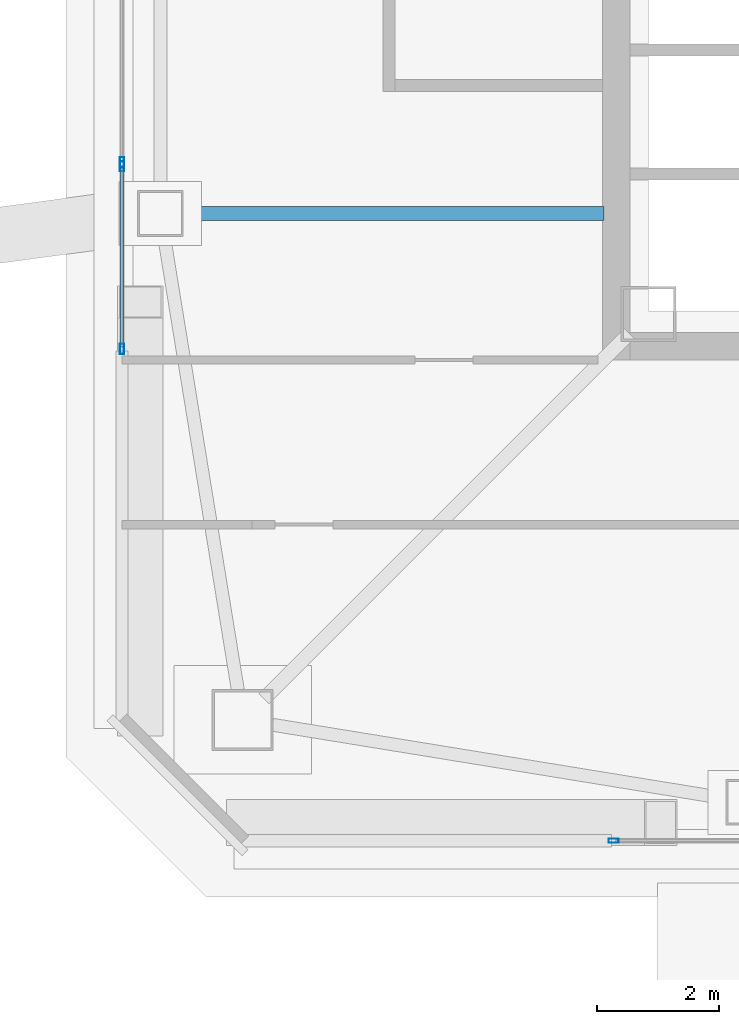
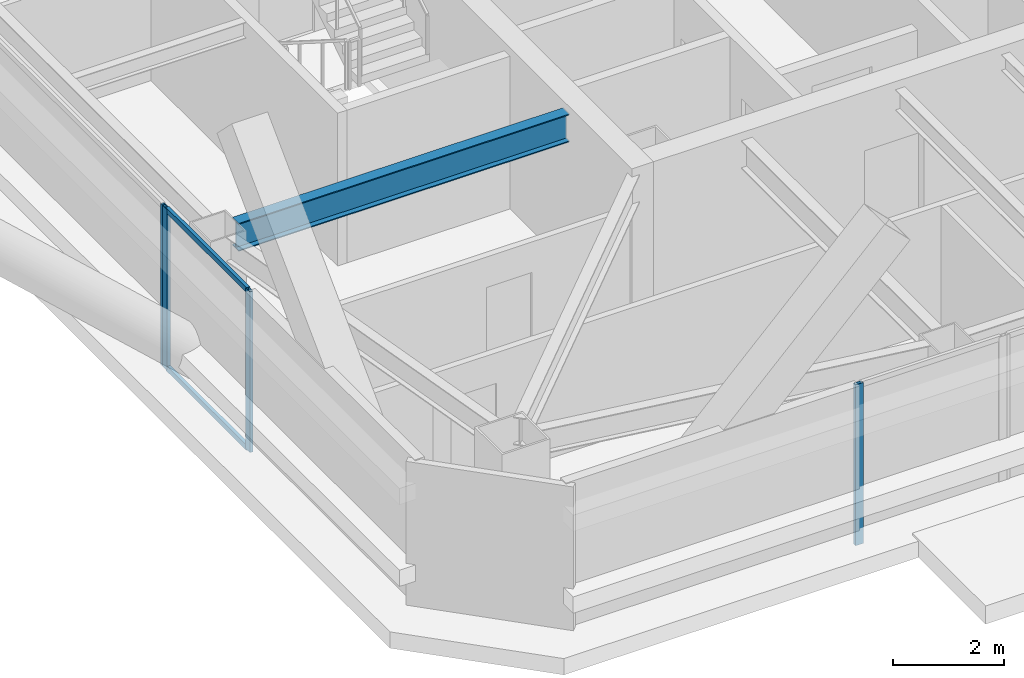
# One storey, part 4 of 39: 6 members, 1 beam, 3 elements without a shape of their own.
"""IFC4 building model written with IfcOpenShell, lengths in metres."""

import ifcopenshell
import ifcopenshell.guid

model = None  # the IFC model being written
_history = None  # IfcOwnerHistory: only IFC2X3 demands one
_inside = {}  # id of a spatial element -> (the spatial element, [elements in it])
_under = {}  # id of a project, library or spatial element -> (it, [spatial elements below it])
_declared = {}  # id of a project -> (the project, [libraries it declares])
_typed = {}  # id of a type object -> (the type object, [elements of that type])
_made_of = {}  # id of a material, layer set ... -> (it, [elements and type objects made of it])


def new_model(schema):
    """Start an empty IFC model of exactly this schema.

    Asked for "IFC4X3", IfcOpenShell would pick the latest addendum, in which some entities
    have other attributes; the version numbers below select the first issue.
    IFC2X3 requires an IfcOwnerHistory on every rooted entity: one is made here for all.
    """
    global model, _history
    if schema == "IFC4X3":
        model = ifcopenshell.file(schema_version=(4, 3, 0, 0))
    else:
        model = ifcopenshell.file(schema=schema)
    _inside.clear()
    _under.clear()
    _declared.clear()
    _typed.clear()
    _made_of.clear()
    _history = None
    if model.schema == "IFC2X3":
        org = make("IfcOrganization", Name="unknown")
        user = make(
            "IfcPersonAndOrganization",
            ThePerson=make("IfcPerson", FamilyName="unknown"),
            TheOrganization=org,
        )
        app = make(
            "IfcApplication",
            ApplicationDeveloper=org,
            Version="unknown",
            ApplicationFullName="unknown",
            ApplicationIdentifier="unknown",
        )
        _history = make(
            "IfcOwnerHistory",
            OwningUser=user,
            OwningApplication=app,
            ChangeAction="ADDED",
            CreationDate=0,
        )
    return model


def make(cls, **values):
    """One entity of the class cls with the attributes given. An attribute that is None is left unset."""
    return model.create_entity(
        cls, **{name: value for name, value in values.items() if value is not None}
    )


def rooted(cls, **values):
    """An entity with a GlobalId (a new one), such as an element, a storey or a relation."""
    return make(cls, GlobalId=ifcopenshell.guid.new(), OwnerHistory=_history, **values)


def si_unit(unit_type, name, prefix=None):
    """IfcSIUnit, for example si_unit("LENGTHUNIT", "METRE", prefix="MILLI")."""
    return make("IfcSIUnit", UnitType=unit_type, Prefix=prefix, Name=name)


def assignment(units):
    """IfcUnitAssignment: the units of a project."""
    return None if units is None else make("IfcUnitAssignment", Units=units)


def point(xyz):
    """IfcCartesianPoint."""
    return None if xyz is None else make("IfcCartesianPoint", Coordinates=xyz)


def direction(xyz):
    """IfcDirection."""
    return None if xyz is None else make("IfcDirection", DirectionRatios=xyz)


def frame(location, z_axis=None, x_axis=None):
    """IfcAxis2Placement3D, a coordinate frame: its origin and axes. An axis left out is left unset."""
    return make(
        "IfcAxis2Placement3D",
        Location=point(location),
        Axis=direction(z_axis),
        RefDirection=direction(x_axis),
    )


def frame_2d(location, x_axis=None):
    """IfcAxis2Placement2D, a coordinate frame in the plane: its origin and x axis."""
    return make(
        "IfcAxis2Placement2D", Location=point(location), RefDirection=direction(x_axis)
    )


def origin():
    """The frame at (0, 0, 0) with its axes left unset."""
    return frame((0.0, 0.0, 0.0))


def origin_2d():
    """The frame at (0, 0) in the plane with its x axis left unset."""
    return frame_2d((0.0, 0.0))


def place(relative_to, where):
    """IfcLocalPlacement: puts the frame where relative to a parent placement (None: the world)."""
    return make(
        "IfcLocalPlacement", PlacementRelTo=relative_to, RelativePlacement=where
    )


def context(
    kind, dimensions, precision=None, world=None, true_north=None, identifier=None
):
    """IfcGeometricRepresentationContext, for example the 3D "Model" context."""
    return make(
        "IfcGeometricRepresentationContext",
        ContextIdentifier=identifier,
        ContextType=kind,
        CoordinateSpaceDimension=dimensions,
        Precision=precision,
        WorldCoordinateSystem=world,
        TrueNorth=true_north,
    )


def subcontext(parent, identifier, kind, view, scale=None):
    """IfcGeometricRepresentationSubContext, for example "Body" below "Model"."""
    return make(
        "IfcGeometricRepresentationSubContext",
        ContextIdentifier=identifier,
        ContextType=kind,
        ParentContext=parent,
        TargetScale=scale,
        TargetView=view,
    )


def project(units=None, contexts=None):
    """IfcProject with its units and contexts."""
    return rooted(
        "IfcProject",
        Name="project",
        RepresentationContexts=contexts,
        UnitsInContext=assignment(units),
    )


def spatial(cls, under=None, at=None, **own):
    """A site, building, storey or space (cls), placed at a placement, below another one or the project."""
    s = rooted(cls, ObjectPlacement=at, **own)
    if under is not None:
        _under.setdefault(under.id(), (under, []))[1].append(s)
    return s


def profile(cls, at=None, kind="AREA", **sizes):
    """A parametric profile (cls). Its sizes go by their IFC names, for example OverallWidth=200.0."""
    return make(cls, ProfileType=kind, Position=at, **sizes)


def hollow_rectangle(**sizes):
    """IfcRectangleHollowProfileDef."""
    return profile("IfcRectangleHollowProfileDef", **sizes)


def i_section(**sizes):
    """IfcIShapeProfileDef."""
    return profile("IfcIShapeProfileDef", **sizes)


def extrude(swept, where, along, depth):
    """IfcExtrudedAreaSolid: the profile swept, set in the frame where, extruded along a direction by depth."""
    return make(
        "IfcExtrudedAreaSolid",
        SweptArea=swept,
        Position=where,
        ExtrudedDirection=direction(along),
        Depth=depth,
    )


def shape(context_of_items, identifier, shape_type, items):
    """IfcShapeRepresentation: the items that make up one representation, for example the "Body"."""
    return make(
        "IfcShapeRepresentation",
        ContextOfItems=context_of_items,
        RepresentationIdentifier=identifier,
        RepresentationType=shape_type,
        Items=items,
    )


def material(Name=None, Category=None):
    """IfcMaterial."""
    return make("IfcMaterial", Name=Name, Category=Category)


def material_profile(
    of_material, cross_section, Name=None, Category=None, Priority=None
):
    """IfcMaterialProfile: a cross section and its material."""
    return make(
        "IfcMaterialProfile",
        Name=Name,
        Material=of_material,
        Profile=cross_section,
        Priority=Priority,
        Category=Category,
    )


def profile_set(profiles, Name=None, composite=None):
    """IfcMaterialProfileSet."""
    return make(
        "IfcMaterialProfileSet",
        Name=Name,
        MaterialProfiles=profiles,
        CompositeProfile=composite,
    )


def made_of(thing, what):
    """Note that an element or type object is made of a material, layer set ...; save() writes the relation."""
    if what is not None:
        _made_of.setdefault(what.id(), (what, []))[1].append(thing)
    return thing


def type_object(cls, material=None, **own):
    """A type object (cls), such as IfcWallType, which elements share."""
    return made_of(rooted(cls, **own), material)


def element(
    cls,
    number,
    at=None,
    inside=None,
    cuts=None,
    type_object=None,
    material=None,
    context=None,
    identifier="Body",
    shape_type=None,
    held_by="IfcProductDefinitionShape",
    body=None,
    shapes=None,
    **own,
):
    """One element of the class cls, such as IfcWall. Its Tag is "e" and its number.

    at: its placement. inside: the storey or other place that contains it. cuts: it is an
    opening in that element (IfcRelVoidsElement). A single representation is given by context,
    identifier, shape_type and body (its items); several are given by shapes. held_by: the class
    of the entity that holds the representations. save() writes the other relations.
    """
    e = rooted(cls, Tag="e%d" % number, ObjectPlacement=at, **own)
    if body is not None:
        shapes = [shape(context, identifier, shape_type, body)]
    if shapes is not None:
        e.Representation = make(held_by, Representations=shapes)
    if inside is not None:
        _inside.setdefault(inside.id(), (inside, []))[1].append(e)
    if cuts is not None:
        rooted(
            "IfcRelVoidsElement", RelatingBuildingElement=cuts, RelatedOpeningElement=e
        )
    if type_object is not None:
        _typed.setdefault(type_object.id(), (type_object, []))[1].append(e)
    return made_of(e, material)


def aggregate(whole, parts):
    """IfcRelAggregates: a whole, such as a stair, and the parts it consists of."""
    return rooted("IfcRelAggregates", RelatingObject=whole, RelatedObjects=parts)


def save(model, path):
    """Write the relations noted so far, then the file.

    IfcRelAggregates (storeys below a building ...), IfcRelContainedInSpatialStructure (elements
    in a storey), IfcRelDefinesByType, IfcRelAssociatesMaterial and IfcRelDeclares: one each for
    every whole, place, type object, material and project.
    """
    for whole, parts in _under.values():
        aggregate(whole, parts)
    for where, things in _inside.values():
        rooted(
            "IfcRelContainedInSpatialStructure",
            RelatedElements=things,
            RelatingStructure=where,
        )
    for kind, things in _typed.values():
        rooted("IfcRelDefinesByType", RelatedObjects=things, RelatingType=kind)
    for what, things in _made_of.values():
        rooted("IfcRelAssociatesMaterial", RelatedObjects=things, RelatingMaterial=what)
    for by, libraries in _declared.values():
        rooted("IfcRelDeclares", RelatingContext=by, RelatedDefinitions=libraries)
    model.write(path)


model = new_model("IFC4")

# Units and contexts
model_context = context("Model", 3, precision=1e-05, world=origin(), true_north=direction((0.0, 1.0)))
body_context = subcontext(model_context, "Body", "Model", "MODEL_VIEW")
ifc_project = project(units=[si_unit("LENGTHUNIT", "METRE"), si_unit("AREAUNIT", "SQUARE_METRE"), si_unit("VOLUMEUNIT", "CUBIC_METRE"), si_unit("PLANEANGLEUNIT", "RADIAN"), si_unit("MASSUNIT", "GRAM", prefix="KILO")], contexts=[model_context])

# Site, building, storey
site_placement = place(None, origin())
site = spatial("IfcSite", under=ifc_project, at=site_placement, CompositionType="ELEMENT")
building_placement = place(site_placement, origin())
building = spatial("IfcBuilding", under=site, at=building_placement, Name="Tashvorn Skyway Center", CompositionType="ELEMENT")
storey_placement = place(building_placement, frame((0.0, 0.0, 232.60009765625)))
storey = spatial("IfcBuildingStorey", under=building, at=storey_placement, Name="L63", CompositionType="ELEMENT", Elevation=232.60009765625)

# Beam
ifc_material_1 = material(Name="Steel ASTM A992 Grade 50", Category="steel")
ifc_material_profile_1 = material_profile(ifc_material_1, i_section(OverallWidth=0.22998046875, OverallDepth=0.616943359375, WebThickness=0.01318359375, FlangeThickness=0.022216796875, at=origin_2d()), Name="W24X94")
ifc_profile_set_1 = profile_set([ifc_material_profile_1], Name="Steel ASTM A992 Grade 50")
beam_type = type_object("IfcBeamType", Name="BM-BEAM-W24X94", PredefinedType="BEAM", material=ifc_profile_set_1)
beam_placement = place(storey_placement, frame((27.320068359375, 26.60009765625, 3.0615234375), z_axis=(1.0, 0.0, 0.0), x_axis=(0.0, 1.0, 0.0)))
element("IfcBeam", 1, at=beam_placement, inside=storey, type_object=beam_type, Name="Tower 1 L63 Primary Floor Girder FC-W2", PredefinedType="BEAM", context=body_context, shape_type="SweptSolid", body=[
    extrude(i_section(OverallWidth=0.22998046875, OverallDepth=0.616943359375, WebThickness=0.01318359375, FlangeThickness=0.022216796875, at=origin_2d()), origin(), (0.0, 0.0, 1.0), 6.89990234375),
])

# Curtain wall, member
ifc_material_2 = material(Name="Thermally broken bronze-anodized aluminium 6063-T6", Category="aluminium")
curtain_wall_type = type_object("IfcCurtainWallType", Name="CW-CW-Z5", PredefinedType="NOTDEFINED", material=ifc_material_2)
curtain_wall_1_placement = place(storey_placement, origin())
curtain_wall_1 = element("IfcCurtainWall", 2, at=curtain_wall_1_placement, inside=storey, type_object=curtain_wall_type, Name="Tower 1 L63 South Unitised Curtain Wall Glazing Group 3", PredefinedType="NOTDEFINED")
ifc_material_profile_2 = material_profile(ifc_material_2, hollow_rectangle(XDim=0.070068359375, YDim=0.1650390625, WallThickness=0.00390625, at=origin_2d()), Name="ALU-MULL-70x165")
ifc_profile_set_2 = profile_set([ifc_material_profile_2], Name="Thermally broken bronze-anodized aluminium 6063-T6")
member_type_1 = type_object("IfcMemberType", Name="CWM-CW-Z5", PredefinedType="MULLION", material=ifc_profile_set_2)
member_1_placement = place(storey_placement, frame((34.37939453125, 16.320068359375, 0.0), z_axis=(0.0, 0.0, 1.0), x_axis=(0.0, -1.0, 0.0)))
member_1 = element("IfcMember", 3, at=member_1_placement, type_object=member_type_1, Name="CW-Z5 mullion 2", PredefinedType="MULLION", context=body_context, shape_type="SweptSolid", body=[
    extrude(hollow_rectangle(XDim=0.070068359375, YDim=0.1650390625, WallThickness=0.00390625, at=origin_2d()), origin(), (0.0, 0.0, 1.0), 3.5498046875),
])
aggregate(curtain_wall_1, [member_1])

# Curtain wall, members
curtain_wall_2_placement = place(storey_placement, origin())
curtain_wall_2 = element("IfcCurtainWall", 4, at=curtain_wall_2_placement, inside=storey, type_object=curtain_wall_type, Name="Tower 1 L63 West Unitised Curtain Wall Glazing Group 1", PredefinedType="NOTDEFINED")
member_2_placement = place(storey_placement, frame((26.320068359375, 24.37939453125, 0.0), z_axis=(0.0, 0.0, 1.0), x_axis=(-1.0, 0.0, 0.0)))
member_2 = element("IfcMember", 5, at=member_2_placement, type_object=member_type_1, Name="CW-Z5 mullion 1", PredefinedType="MULLION", context=body_context, shape_type="SweptSolid", body=[
    extrude(hollow_rectangle(XDim=0.070068359375, YDim=0.1650390625, WallThickness=0.00390625, at=origin_2d()), origin(), (0.0, 0.0, 1.0), 3.5498046875),
])
member_3_placement = place(storey_placement, frame((26.320068359375, 27.37158203125, 0.0), z_axis=(0.0, 0.0, 1.0), x_axis=(-1.0, 0.0, 0.0)))
member_3 = element("IfcMember", 6, at=member_3_placement, type_object=member_type_1, Name="CW-Z5 mullion 2", PredefinedType="MULLION", context=body_context, shape_type="SweptSolid", body=[
    extrude(hollow_rectangle(XDim=0.070068359375, YDim=0.1650390625, WallThickness=0.00390625, at=origin_2d()), origin(), (0.0, 0.0, 1.0), 3.5498046875),
])

# Curtain wall, member
curtain_wall_3_placement = place(storey_placement, origin())
curtain_wall_3 = element("IfcCurtainWall", 7, at=curtain_wall_3_placement, inside=storey, type_object=curtain_wall_type, Name="Tower 1 L63 West Unitised Curtain Wall Glazing Group 2", PredefinedType="NOTDEFINED")
member_4_placement = place(storey_placement, frame((26.320068359375, 27.441650390625, 0.0), z_axis=(0.0, 0.0, 1.0), x_axis=(-1.0, 0.0, 0.0)))
member_4 = element("IfcMember", 8, at=member_4_placement, type_object=member_type_1, Name="CW-Z5 mullion 1", PredefinedType="MULLION", context=body_context, shape_type="SweptSolid", body=[
    extrude(hollow_rectangle(XDim=0.070068359375, YDim=0.1650390625, WallThickness=0.00390625, at=origin_2d()), origin(), (0.0, 0.0, 1.0), 3.5498046875),
])
aggregate(curtain_wall_3, [member_4])

# Member
ifc_material_profile_3 = material_profile(ifc_material_2, hollow_rectangle(XDim=0.070068359375, YDim=0.114990234375, WallThickness=0.00390625, at=origin_2d()), Name="ALU-TRAN-70x115")
ifc_profile_set_3 = profile_set([ifc_material_profile_3], Name="Thermally broken bronze-anodized aluminium 6063-T6")
member_type_2 = type_object("IfcMemberType", Name="CWT-CW-Z5", PredefinedType="USERDEFINED", material=ifc_profile_set_3)
member_5_placement = place(storey_placement, frame((26.320068359375, 24.414306640625, 0.034912109375), z_axis=(0.0, 1.0, 0.0), x_axis=(-1.0, 0.0, 0.0)))
member_5 = element("IfcMember", 9, at=member_5_placement, type_object=member_type_2, Name="CW-Z5 transom 1.1", ObjectType="TRANSOM", PredefinedType="USERDEFINED", context=body_context, shape_type="SweptSolid", body=[
    extrude(hollow_rectangle(XDim=0.070068359375, YDim=0.114990234375, WallThickness=0.00390625, at=origin_2d()), origin(), (0.0, 0.0, 1.0), 2.92236328125),
])

member_6_placement = place(storey_placement, frame((26.320068359375, 24.414306640625, 3.514892578125), z_axis=(0.0, 1.0, 0.0), x_axis=(-1.0, 0.0, 0.0)))
member_6 = element("IfcMember", 10, at=member_6_placement, type_object=member_type_2, Name="CW-Z5 transom 1.2", ObjectType="TRANSOM", PredefinedType="USERDEFINED", context=body_context, shape_type="SweptSolid", body=[
    extrude(hollow_rectangle(XDim=0.070068359375, YDim=0.114990234375, WallThickness=0.00390625, at=origin_2d()), origin(), (0.0, 0.0, 1.0), 2.92236328125),
])

aggregate(curtain_wall_2, [member_2, member_3, member_5, member_6])

save(model, "model.ifc")
